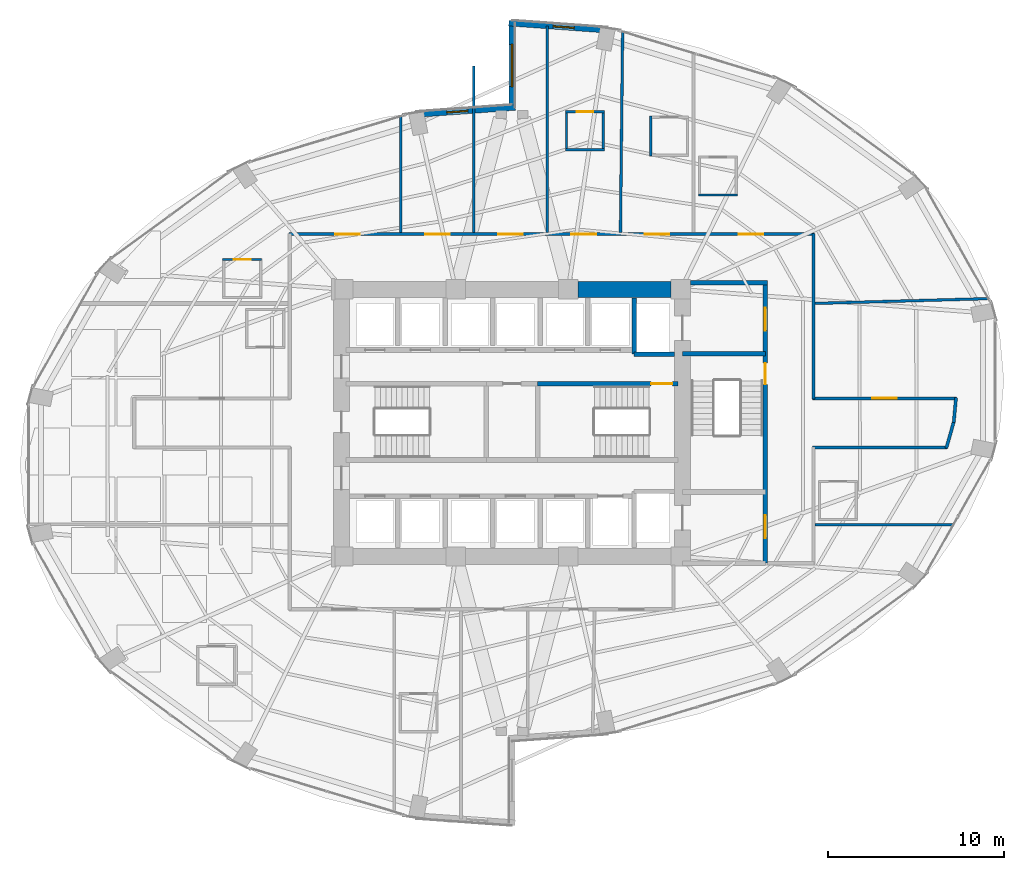
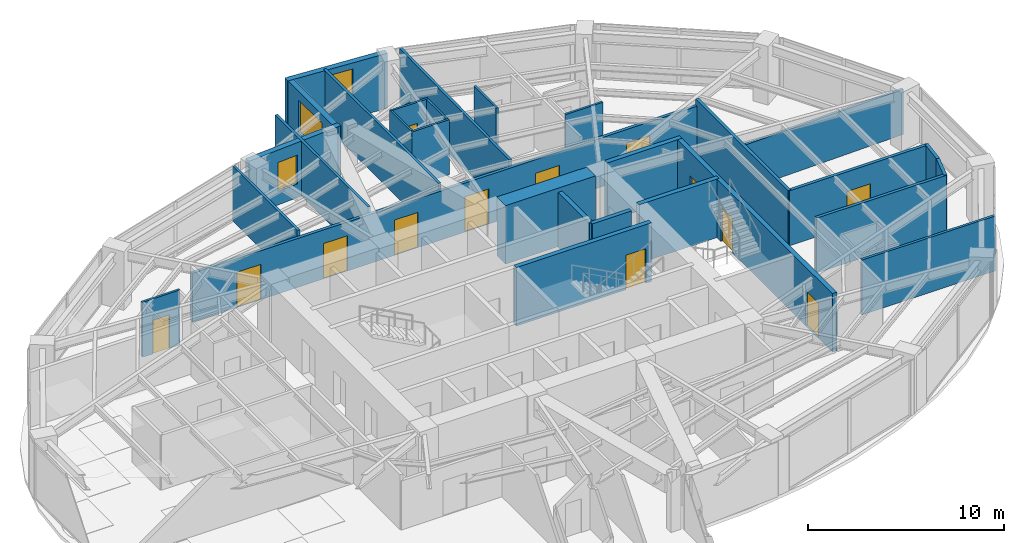
# One storey, part 22 of 25: 29 walls, 13 doors, 3 windows, 16 openings.
"""IFC4 building model written with IfcOpenShell, lengths in metres."""

from ifc_helpers import new_model, si_unit, direction, frame, frame_2d, origin, place, context, subcontext, project, spatial, rectangle, extrude, material, layer, layer_set, type_object, element, fill, save


model = new_model("IFC4")

# Units and contexts
model_context = context("Model", 3, precision=1e-05, world=origin(), true_north=direction((0.0, 1.0)))
body_context = subcontext(model_context, "Body", "Model", "MODEL_VIEW")
ifc_project = project(units=[si_unit("LENGTHUNIT", "METRE"), si_unit("AREAUNIT", "SQUARE_METRE"), si_unit("VOLUMEUNIT", "CUBIC_METRE"), si_unit("PLANEANGLEUNIT", "RADIAN"), si_unit("MASSUNIT", "GRAM", prefix="KILO")], contexts=[model_context])

# Site, building, storey
site_placement = place(None, origin())
site = spatial("IfcSite", under=ifc_project, at=site_placement, CompositionType="ELEMENT")
building_placement = place(site_placement, origin())
building = spatial("IfcBuilding", under=site, at=building_placement, Name="Lazwardi Medical Tower", CompositionType="ELEMENT")
storey_placement = place(building_placement, frame((0.0, 0.0, 28.847900390625)))
storey = spatial("IfcBuildingStorey", under=building, at=storey_placement, Name="L06", CompositionType="ELEMENT", Elevation=28.847900390625)

# Wall, openings, doors
ifc_material_1 = material(Name="Fire-rated gypsum board on steel stud", Category="steel")
ifc_layer_1 = layer(ifc_material_1, 0.179931640625)
ifc_layer_set_1 = layer_set([ifc_layer_1], Name="Fire-rated gypsum board on steel stud")
wall_type_1 = type_object("IfcWallType", Name="WL-COR-180", PredefinedType="PARTITIONING", material=ifc_layer_set_1)
wall_1_placement = place(storey_placement, frame((23.31005859375, 38.75, 0.0), z_axis=(0.0, 0.0, 1.0), x_axis=(1.0, 0.0, 0.0)))
wall_1 = element("IfcWall", 1, at=wall_1_placement, inside=storey, type_object=wall_type_1, Name="L06 Corridor partition 4", PredefinedType="PARTITIONING", context=body_context, shape_type="SweptSolid", body=[
    extrude(rectangle(XDim=29.8798828125, YDim=0.179931640625, at=frame_2d((14.93994140625, 0.0))), origin(), (0.0, 0.0, 1.0), 3.052978515625),
])
opening_1_placement = place(wall_1_placement, frame((25.591064453125, 0.0, 0.0)))
opening_1 = element("IfcOpeningElement", 2, at=opening_1_placement, cuts=wall_1, Name="Opening D-L06-020", PredefinedType="OPENING", context=body_context, shape_type="SweptSolid", body=[
    extrude(rectangle(XDim=1.39990234375, YDim=2.199951171875, at=frame_2d((0.699951171875, 1.10009765625))), frame((0.0, 0.099853515625, 0.0), z_axis=(0.0, -1.0, 0.0), x_axis=(1.0, 0.0, 0.0)), (0.0, 0.0, 1.0), 0.199951171875),
])
opening_2_placement = place(wall_1_placement, frame((20.240478515625, 0.0, 0.0)))
opening_2 = element("IfcOpeningElement", 3, at=opening_2_placement, cuts=wall_1, Name="Opening D-L06-021", PredefinedType="OPENING", context=body_context, shape_type="SweptSolid", body=[
    extrude(rectangle(XDim=1.39990234375, YDim=2.199951171875, at=frame_2d((0.699951171875, 1.10009765625))), frame((0.0, 0.099853515625, 0.0), z_axis=(0.0, -1.0, 0.0), x_axis=(1.0, 0.0, 0.0)), (0.0, 0.0, 1.0), 0.199951171875),
])
opening_3_placement = place(wall_1_placement, frame((16.075439453125, 0.0, 0.0)))
opening_3 = element("IfcOpeningElement", 4, at=opening_3_placement, cuts=wall_1, Name="Opening D-L06-022", PredefinedType="OPENING", context=body_context, shape_type="SweptSolid", body=[
    extrude(rectangle(XDim=1.39990234375, YDim=2.199951171875, at=frame_2d((0.699951171875, 1.10009765625))), frame((0.0, 0.099853515625, 0.0), z_axis=(0.0, -1.0, 0.0), x_axis=(1.0, 0.0, 0.0)), (0.0, 0.0, 1.0), 0.199951171875),
])
opening_4_placement = place(wall_1_placement, frame((11.905029296875, 0.0, 0.0)))
opening_4 = element("IfcOpeningElement", 5, at=opening_4_placement, cuts=wall_1, Name="Opening D-L06-023", PredefinedType="OPENING", context=body_context, shape_type="SweptSolid", body=[
    extrude(rectangle(XDim=1.39990234375, YDim=2.199951171875, at=frame_2d((0.699951171875, 1.10009765625))), frame((0.0, 0.099853515625, 0.0), z_axis=(0.0, -1.0, 0.0), x_axis=(1.0, 0.0, 0.0)), (0.0, 0.0, 1.0), 0.199951171875),
])
opening_5_placement = place(wall_1_placement, frame((7.739990234375, 0.0, 0.0)))
opening_5 = element("IfcOpeningElement", 6, at=opening_5_placement, cuts=wall_1, Name="Opening D-L06-024", PredefinedType="OPENING", context=body_context, shape_type="SweptSolid", body=[
    extrude(rectangle(XDim=1.39990234375, YDim=2.199951171875, at=frame_2d((0.699951171875, 1.10009765625))), frame((0.0, 0.099853515625, 0.0), z_axis=(0.0, -1.0, 0.0), x_axis=(1.0, 0.0, 0.0)), (0.0, 0.0, 1.0), 0.199951171875),
])
opening_6_placement = place(wall_1_placement, frame((2.638916015625, 0.0, 0.0)))
opening_6 = element("IfcOpeningElement", 7, at=opening_6_placement, cuts=wall_1, Name="Opening D-L06-025", PredefinedType="OPENING", context=body_context, shape_type="SweptSolid", body=[
    extrude(rectangle(XDim=1.39990234375, YDim=2.199951171875, at=frame_2d((0.699951171875, 1.10009765625))), frame((0.0, 0.099853515625, 0.0), z_axis=(0.0, -1.0, 0.0), x_axis=(1.0, 0.0, 0.0)), (0.0, 0.0, 1.0), 0.199951171875),
])
ifc_material_2 = material(Name="Anti-microbial laminate hospital leaf")
door_type_1 = type_object("IfcDoorType", Name="DR-BED-1400", OperationType="NOTDEFINED", PredefinedType="DOOR", material=ifc_material_2)
door_1_placement = place(opening_1_placement, origin())
door_1 = element("IfcDoor", 8, at=door_1_placement, inside=storey, type_object=door_type_1, Name="L06 Inpatient Ward Door 07", OperationType="SINGLE_SWING_RIGHT", OverallHeight=2.199951171875, OverallWidth=1.39990234375, PredefinedType="DOOR", context=body_context, shape_type="SweptSolid", body=[
    extrude(rectangle(XDim=1.39990234375, YDim=2.199951171875, at=frame_2d((0.699951171875, 1.10009765625))), frame((0.0, 0.02490234375, 0.0), z_axis=(0.0, -1.0, 0.0), x_axis=(1.0, 0.0, 0.0)), (0.0, 0.0, 1.0), 0.050048828125),
])
fill(opening_1, door_1)
door_2_placement = place(opening_2_placement, origin())
door_2 = element("IfcDoor", 9, at=door_2_placement, inside=storey, type_object=door_type_1, Name="L06 Inpatient Ward Door 08", OperationType="SINGLE_SWING_RIGHT", OverallHeight=2.199951171875, OverallWidth=1.39990234375, PredefinedType="DOOR", context=body_context, shape_type="SweptSolid", body=[
    extrude(rectangle(XDim=1.39990234375, YDim=2.199951171875, at=frame_2d((0.699951171875, 1.10009765625))), frame((0.0, 0.02490234375, 0.0), z_axis=(0.0, -1.0, 0.0), x_axis=(1.0, 0.0, 0.0)), (0.0, 0.0, 1.0), 0.050048828125),
])
fill(opening_2, door_2)
door_3_placement = place(opening_3_placement, origin())
door_3 = element("IfcDoor", 10, at=door_3_placement, inside=storey, type_object=door_type_1, Name="L06 Inpatient Ward Door 09", OperationType="SINGLE_SWING_RIGHT", OverallHeight=2.199951171875, OverallWidth=1.39990234375, PredefinedType="DOOR", context=body_context, shape_type="SweptSolid", body=[
    extrude(rectangle(XDim=1.39990234375, YDim=2.199951171875, at=frame_2d((0.699951171875, 1.10009765625))), frame((0.0, 0.02490234375, 0.0), z_axis=(0.0, -1.0, 0.0), x_axis=(1.0, 0.0, 0.0)), (0.0, 0.0, 1.0), 0.050048828125),
])
fill(opening_3, door_3)
door_4_placement = place(opening_4_placement, origin())
door_4 = element("IfcDoor", 11, at=door_4_placement, inside=storey, type_object=door_type_1, Name="L06 Inpatient Ward Door 10", OperationType="SINGLE_SWING_LEFT", OverallHeight=2.199951171875, OverallWidth=1.39990234375, PredefinedType="DOOR", context=body_context, shape_type="SweptSolid", body=[
    extrude(rectangle(XDim=1.39990234375, YDim=2.199951171875, at=frame_2d((0.699951171875, 1.10009765625))), frame((0.0, 0.02490234375, 0.0), z_axis=(0.0, -1.0, 0.0), x_axis=(1.0, 0.0, 0.0)), (0.0, 0.0, 1.0), 0.050048828125),
])
fill(opening_4, door_4)
door_5_placement = place(opening_5_placement, origin())
door_5 = element("IfcDoor", 12, at=door_5_placement, inside=storey, type_object=door_type_1, Name="L06 Inpatient Ward Door 11", OperationType="SINGLE_SWING_RIGHT", OverallHeight=2.199951171875, OverallWidth=1.39990234375, PredefinedType="DOOR", context=body_context, shape_type="SweptSolid", body=[
    extrude(rectangle(XDim=1.39990234375, YDim=2.199951171875, at=frame_2d((0.699951171875, 1.10009765625))), frame((0.0, 0.02490234375, 0.0), z_axis=(0.0, -1.0, 0.0), x_axis=(1.0, 0.0, 0.0)), (0.0, 0.0, 1.0), 0.050048828125),
])
fill(opening_5, door_5)
door_6_placement = place(opening_6_placement, origin())
door_6 = element("IfcDoor", 13, at=door_6_placement, inside=storey, type_object=door_type_1, Name="L06 Inpatient Ward Door 12", OperationType="SINGLE_SWING_RIGHT", OverallHeight=2.199951171875, OverallWidth=1.39990234375, PredefinedType="DOOR", context=body_context, shape_type="SweptSolid", body=[
    extrude(rectangle(XDim=1.39990234375, YDim=2.199951171875, at=frame_2d((0.699951171875, 1.10009765625))), frame((0.0, 0.02490234375, 0.0), z_axis=(0.0, -1.0, 0.0), x_axis=(1.0, 0.0, 0.0)), (0.0, 0.0, 1.0), 0.050048828125),
])
fill(opening_6, door_6)

# Wall
wall_2_placement = place(storey_placement, frame((53.14990234375, 38.7900390625, 0.0), z_axis=(0.0, 0.0, 1.0), x_axis=(0.0, -1.0, 0.0)))
element("IfcWall", 14, at=wall_2_placement, inside=storey, type_object=wall_type_1, Name="L06 Corridor partition 5", PredefinedType="PARTITIONING", context=body_context, shape_type="SweptSolid", body=[
    extrude(rectangle(XDim=9.429931640625, YDim=0.179931640625, at=frame_2d((4.71484375, 0.0))), origin(), (0.0, 0.0, 1.0), 3.427978515625),
])

# Wall, opening, door
wall_3_placement = place(storey_placement, frame((53.110107421875, 29.39990234375, 0.0), z_axis=(0.0, 0.0, 1.0), x_axis=(1.0, 0.0, 0.0)))
wall_3 = element("IfcWall", 15, at=wall_3_placement, inside=storey, type_object=wall_type_1, Name="L06 Corridor partition 6", PredefinedType="PARTITIONING", context=body_context, shape_type="SweptSolid", body=[
    extrude(rectangle(XDim=8.19677734375, YDim=0.179931640625, at=frame_2d((4.098388671875, 0.0))), origin(), (0.0, 0.0, 1.0), 3.427978515625),
])
opening_7_placement = place(wall_3_placement, frame((3.3984375, 0.0, 0.0)))
opening_7 = element("IfcOpeningElement", 16, at=opening_7_placement, cuts=wall_3, Name="Opening D-L06-019", PredefinedType="OPENING", context=body_context, shape_type="SweptSolid", body=[
    extrude(rectangle(XDim=1.39990234375, YDim=2.199951171875, at=frame_2d((0.699951171875, 1.10009765625))), frame((0.0, 0.099853515625, 0.0), z_axis=(0.0, -1.0, 0.0), x_axis=(1.0, 0.0, 0.0)), (0.0, 0.0, 1.0), 0.199951171875),
])
door_7_placement = place(opening_7_placement, origin())
door_7 = element("IfcDoor", 17, at=door_7_placement, inside=storey, type_object=door_type_1, Name="L06 Inpatient Ward Door 06", OperationType="SINGLE_SWING_RIGHT", OverallHeight=2.199951171875, OverallWidth=1.39990234375, PredefinedType="DOOR", context=body_context, shape_type="SweptSolid", body=[
    extrude(rectangle(XDim=1.39990234375, YDim=2.199951171875, at=frame_2d((0.699951171875, 1.10009765625))), frame((0.0, 0.02490234375, 0.0), z_axis=(0.0, -1.0, 0.0), x_axis=(1.0, 0.0, 0.0)), (0.0, 0.0, 1.0), 0.050048828125),
])
fill(opening_7, door_7)

# Walls
wall_4_placement = place(storey_placement, frame((61.2705078125, 29.439697265625, 0.0), z_axis=(0.0, 0.0, 1.0), x_axis=(-0.092539930621, -0.995708974169, 0.0)))
element("IfcWall", 18, at=wall_4_placement, inside=storey, type_object=wall_type_1, Name="L06 Corridor partition 7", PredefinedType="PARTITIONING", context=body_context, shape_type="SweptSolid", body=[
    extrude(rectangle(XDim=1.416748046875, YDim=0.179931640625, at=frame_2d((0.70849609375, 0.0))), origin(), (0.0, 0.0, 1.0), 3.427978515625),
])
wall_5_placement = place(storey_placement, frame((61.15380859375, 28.107421875, 0.0), z_axis=(0.0, 0.0, 1.0), x_axis=(-0.271748942561, -0.962368179138, 0.0)))
element("IfcWall", 19, at=wall_5_placement, inside=storey, type_object=wall_type_1, Name="L06 Corridor partition 8", PredefinedType="PARTITIONING", context=body_context, shape_type="SweptSolid", body=[
    extrude(rectangle(XDim=1.6064453125, YDim=0.179931640625, at=frame_2d((0.80322265625, 0.0))), origin(), (0.0, 0.0, 1.0), 3.427978515625),
])
wall_6_placement = place(storey_placement, frame((60.768310546875, 26.60009765625, 0.0), z_axis=(0.0, 0.0, 1.0), x_axis=(-1.0, 0.0, 0.0)))
element("IfcWall", 20, at=wall_6_placement, inside=storey, type_object=wall_type_1, Name="L06 Corridor partition 9", PredefinedType="PARTITIONING", context=body_context, shape_type="SweptSolid", body=[
    extrude(rectangle(XDim=7.658203125, YDim=0.179931640625, at=frame_2d((3.8291015625, 0.0))), origin(), (0.0, 0.0, 1.0), 3.427978515625),
])
ifc_material_3 = material(Name="Concrete C80/95", Category="concrete")
ifc_layer_2 = layer(ifc_material_3, 0.89990234375)
ifc_layer_set_2 = layer_set([ifc_layer_2], Name="Concrete C80/95")
wall_type_2 = type_object("IfcWallType", Name="WL-CORE-900", PredefinedType="SHEAR", material=ifc_layer_set_2)
wall_7_placement = place(storey_placement, frame((39.75, 35.60009765625, 0.0), z_axis=(0.0, 0.0, 1.0), x_axis=(1.0, 0.0, 0.0)))
element("IfcWall", 21, at=wall_7_placement, inside=storey, type_object=wall_type_2, Name="Core wall CW-S1 N3 L06", PredefinedType="SHEAR", context=body_context, shape_type="SweptSolid", body=[
    extrude(rectangle(XDim=5.300048828125, YDim=0.89990234375, at=frame_2d((2.64990234375, 0.0))), origin(), (0.0, 0.0, 1.0), 3.648193359375),
])
ifc_material_4 = material(Name="Moisture-resistant gypsum board partition")
ifc_layer_3 = layer(ifc_material_4, 0.125)
ifc_layer_set_3 = layer_set([ifc_layer_3], Name="Moisture-resistant gypsum board partition")
wall_type_3 = type_object("IfcWallType", Name="WL-ENS-125", PredefinedType="PARTITIONING", material=ifc_layer_set_3)
wall_8_placement = place(storey_placement, frame((46.60498046875, 40.967041015625, 0.0), z_axis=(0.0, 0.0, 1.0), x_axis=(1.0, 0.0, 0.0)))
element("IfcWall", 22, at=wall_8_placement, inside=storey, type_object=wall_type_3, Name="L06 En-suite wall 7S", PredefinedType="PARTITIONING", context=body_context, shape_type="SweptSolid", body=[
    extrude(rectangle(XDim=2.219970703125, YDim=0.125, at=frame_2d((1.10986328125, 0.0))), origin(), (0.0, 0.0, 1.0), 3.427978515625),
])
wall_9_placement = place(storey_placement, frame((43.89501953125, 43.17919921875, 0.0), z_axis=(0.0, 0.0, 1.0), x_axis=(0.0, 1.0, 0.0)))
element("IfcWall", 23, at=wall_9_placement, inside=storey, type_object=wall_type_3, Name="L06 En-suite wall 8W", PredefinedType="PARTITIONING", context=body_context, shape_type="SweptSolid", body=[
    extrude(rectangle(XDim=2.280029296875, YDim=0.125, at=frame_2d((1.14013671875, 0.0))), origin(), (0.0, 0.0, 1.0), 3.427978515625),
])

# Wall, opening, door
wall_10_placement = place(storey_placement, frame((39.035888671875, 45.7109375, 0.0), z_axis=(0.0, 0.0, 1.0), x_axis=(1.0, 0.0, 0.0)))
wall_10 = element("IfcWall", 24, at=wall_10_placement, inside=storey, type_object=wall_type_3, Name="L06 En-suite wall 9N", PredefinedType="PARTITIONING", context=body_context, shape_type="SweptSolid", body=[
    extrude(rectangle(XDim=2.219970703125, YDim=0.125, at=frame_2d((1.10986328125, 0.0))), origin(), (0.0, 0.0, 1.0), 3.427978515625),
])
opening_8_placement = place(wall_10_placement, frame((0.635009765625, 0.0, 0.0)))
opening_8 = element("IfcOpeningElement", 25, at=opening_8_placement, cuts=wall_10, Name="Opening D-L06-007", PredefinedType="OPENING", context=body_context, shape_type="SweptSolid", body=[
    extrude(rectangle(XDim=0.949951171875, YDim=2.10009765625, at=frame_2d((0.47509765625, 1.050048828125))), frame((0.0, 0.072509765625, 0.0), z_axis=(0.0, -1.0, 0.0), x_axis=(1.0, 0.0, 0.0)), (0.0, 0.0, 1.0), 0.14501953125),
])
ifc_material_5 = material(Name="Moisture-resistant laminate door leaf")
door_type_2 = type_object("IfcDoorType", Name="DR-ENS-950", OperationType="NOTDEFINED", PredefinedType="DOOR", material=ifc_material_5)
door_8_placement = place(opening_8_placement, origin())
door_8 = element("IfcDoor", 26, at=door_8_placement, inside=storey, type_object=door_type_2, Name="L06 En-suite Door 09", OperationType="SINGLE_SWING_LEFT", OverallHeight=2.10009765625, OverallWidth=0.949951171875, PredefinedType="DOOR", context=body_context, shape_type="SweptSolid", body=[
    extrude(rectangle(XDim=0.949951171875, YDim=2.10009765625, at=frame_2d((0.47509765625, 1.050048828125))), frame((0.0, 0.02490234375, 0.0), z_axis=(0.0, -1.0, 0.0), x_axis=(1.0, 0.0, 0.0)), (0.0, 0.0, 1.0), 0.050048828125),
])
fill(opening_8, door_8)

# Walls
wall_11_placement = place(storey_placement, frame((39.035888671875, 43.551025390625, 0.0), z_axis=(0.0, 0.0, 1.0), x_axis=(1.0, 0.0, 0.0)))
element("IfcWall", 27, at=wall_11_placement, inside=storey, type_object=wall_type_3, Name="L06 En-suite wall 9S", PredefinedType="PARTITIONING", context=body_context, shape_type="SweptSolid", body=[
    extrude(rectangle(XDim=2.219970703125, YDim=0.125, at=frame_2d((1.10986328125, 0.0))), origin(), (0.0, 0.0, 1.0), 3.427978515625),
])
for number, where, z_axis, x_axis, name in (
    (28, (41.19580078125, 43.490966796875, 0.0), (0.0, 0.0, 1.0), (0.0, 1.0, 0.0), "L06 En-suite wall 9E"),
    (29, (39.095703125, 43.490966796875, 0.0), (0.0, 0.0, 1.0), (0.0, 1.0, 0.0), "L06 En-suite wall 9W"),
):
    element("IfcWall", number, at=place(storey_placement, frame(where, z_axis=z_axis, x_axis=x_axis)), inside=storey, type_object=wall_type_3, Name=name, PredefinedType="PARTITIONING", context=body_context, shape_type="SweptSolid", body=[
        extrude(rectangle(XDim=2.280029296875, YDim=0.125, at=frame_2d((1.14013671875, 0.0))), origin(), (0.0, 0.0, 1.0), 3.427978515625),
    ])

# Wall, opening, door
wall_12_placement = place(storey_placement, frame((19.53759765625, 37.300048828125, 0.0), z_axis=(0.0, 0.0, 1.0), x_axis=(1.0, 0.0, 0.0)))
wall_12 = element("IfcWall", 30, at=wall_12_placement, inside=storey, type_object=wall_type_3, Name="L06 En-suite wall 12N", PredefinedType="PARTITIONING", context=body_context, shape_type="SweptSolid", body=[
    extrude(rectangle(XDim=2.219970703125, YDim=0.125, at=frame_2d((1.10986328125, 0.0))), origin(), (0.0, 0.0, 1.0), 3.427978515625),
])
opening_9_placement = place(wall_12_placement, frame((0.635009765625, 0.0, 0.0)))
opening_9 = element("IfcOpeningElement", 31, at=opening_9_placement, cuts=wall_12, Name="Opening D-L06-008", PredefinedType="OPENING", context=body_context, shape_type="SweptSolid", body=[
    extrude(rectangle(XDim=0.949951171875, YDim=2.10009765625, at=frame_2d((0.47509765625, 1.050048828125))), frame((0.0, 0.072509765625, 0.0), z_axis=(0.0, -1.0, 0.0), x_axis=(1.0, 0.0, 0.0)), (0.0, 0.0, 1.0), 0.14501953125),
])
door_9_placement = place(opening_9_placement, origin())
door_9 = element("IfcDoor", 32, at=door_9_placement, inside=storey, type_object=door_type_2, Name="L06 En-suite Door 12", OperationType="SINGLE_SWING_LEFT", OverallHeight=2.10009765625, OverallWidth=0.949951171875, PredefinedType="DOOR", context=body_context, shape_type="SweptSolid", body=[
    extrude(rectangle(XDim=0.949951171875, YDim=2.10009765625, at=frame_2d((0.47509765625, 1.050048828125))), frame((0.0, 0.02490234375, 0.0), z_axis=(0.0, -1.0, 0.0), x_axis=(1.0, 0.0, 0.0)), (0.0, 0.0, 1.0), 0.050048828125),
])
fill(opening_9, door_9)

# Wall, opening, window
ifc_material_6 = material(Name="Precast concrete C45/55", Category="concrete")
ifc_layer_4 = layer(ifc_material_6, 0.320068359375)
ifc_layer_set_4 = layer_set([ifc_layer_4], Name="Precast concrete C45/55")
wall_type_4 = type_object("IfcWallType", Name="WL-IWAN-320", PredefinedType="SOLIDWALL", material=ifc_layer_set_4)
wall_13_placement = place(storey_placement, frame((41.481201171875, 50.345703125, 0.0), z_axis=(0.0, 0.0, 1.0), x_axis=(-0.997422321809, 0.071754525696, 0.0)))
wall_13 = element("IfcWall", 33, at=wall_13_placement, inside=storey, type_object=wall_type_4, Name="L06 Iwan Portal Return Wall NE_ret", PredefinedType="SOLIDWALL", context=body_context, shape_type="SweptSolid", body=[
    extrude(rectangle(XDim=5.67529296875, YDim=0.320068359375, at=frame_2d((2.837646484375, 0.0))), origin(), (0.0, 0.0, 1.0), 3.427978515625),
])
opening_10_placement = place(wall_13_placement, frame((1.94921875, 0.0, 0.85009765625)))
opening_10 = element("IfcOpeningElement", 34, at=opening_10_placement, cuts=wall_13, Name="Opening WN-01", PredefinedType="OPENING", context=body_context, shape_type="SweptSolid", body=[
    extrude(rectangle(XDim=1.199951171875, YDim=2.199951171875, at=frame_2d((0.60009765625, 1.10009765625))), frame((0.0, 0.169921875, 0.0), z_axis=(0.0, -1.0, 0.0), x_axis=(1.0, 0.0, 0.0)), (0.0, 0.0, 1.0), 0.340087890625),
])
ifc_material_7 = material(Name="Low-e bronze solar control double glazing", Category="glass")
window_type_1 = type_object("IfcWindowType", Name="WIN-IW-1200", PartitioningType="SINGLE_PANEL", PredefinedType="WINDOW", material=ifc_material_7)
window_1_placement = place(opening_10_placement, origin())
window_1 = element("IfcWindow", 35, at=window_1_placement, inside=storey, type_object=window_type_1, Name="L06 Iwan Slot Window NE_ret", OverallHeight=2.199951171875, OverallWidth=1.199951171875, PartitioningType="SINGLE_PANEL", PredefinedType="WINDOW", context=body_context, shape_type="SweptSolid", body=[
    extrude(rectangle(XDim=1.199951171875, YDim=2.199951171875, at=frame_2d((0.60009765625, 1.10009765625))), frame((0.0, 0.030029296875, 0.0), z_axis=(0.0, -1.0, 0.0), x_axis=(1.0, 0.0, 0.0)), (0.0, 0.0, 1.0), 0.06005859375),
])
fill(opening_10, window_1)

wall_14_placement = place(storey_placement, frame((36.178955078125, 45.952880859375, 0.0), z_axis=(0.0, 0.0, 1.0), x_axis=(-0.997421878774, -0.071760683825, 0.0)))
wall_14 = element("IfcWall", 36, at=wall_14_placement, inside=storey, type_object=wall_type_4, Name="L06 Iwan Portal Return Wall NW_ret", PredefinedType="SOLIDWALL", context=body_context, shape_type="SweptSolid", body=[
    extrude(rectangle(XDim=5.6748046875, YDim=0.320068359375, at=frame_2d((2.83740234375, 0.0))), origin(), (0.0, 0.0, 1.0), 3.427978515625),
])
opening_11_placement = place(wall_14_placement, frame((2.6962890625, 0.0, 0.85009765625)))
opening_11 = element("IfcOpeningElement", 37, at=opening_11_placement, cuts=wall_14, Name="Opening WN-04", PredefinedType="OPENING", context=body_context, shape_type="SweptSolid", body=[
    extrude(rectangle(XDim=1.199951171875, YDim=1.800048828125, at=frame_2d((0.60009765625, 0.89990234375))), frame((0.0, 0.169921875, 0.0), z_axis=(0.0, -1.0, 0.0), x_axis=(1.0, 0.0, 0.0)), (0.0, 0.0, 1.0), 0.340087890625),
])
window_type_2 = type_object("IfcWindowType", Name="WIN-DRUM-1200", PartitioningType="SINGLE_PANEL", PredefinedType="WINDOW", material=ifc_material_7)
window_2_placement = place(opening_11_placement, origin())
window_2 = element("IfcWindow", 38, at=window_2_placement, inside=storey, type_object=window_type_2, Name="L06 Iwan Slot Window NW_ret", OverallHeight=1.800048828125, OverallWidth=1.199951171875, PartitioningType="SINGLE_PANEL", PredefinedType="WINDOW", context=body_context, shape_type="SweptSolid", body=[
    extrude(rectangle(XDim=1.199951171875, YDim=1.800048828125, at=frame_2d((0.60009765625, 0.89990234375))), frame((0.0, 0.030029296875, 0.0), z_axis=(0.0, -1.0, 0.0), x_axis=(1.0, 0.0, 0.0)), (0.0, 0.0, 1.0), 0.06005859375),
])
fill(opening_11, window_2)

wall_15_placement = place(storey_placement, frame((36.0, 50.89990234375, 0.0), z_axis=(0.0, 0.0, 1.0), x_axis=(0.0, -1.0, 0.0)))
wall_15 = element("IfcWall", 39, at=wall_15_placement, inside=storey, type_object=wall_type_4, Name="L06 Turquoise Tilework Iwan Seam Wall N_seam", PredefinedType="SOLIDWALL", context=body_context, shape_type="SweptSolid", body=[
    extrude(rectangle(XDim=5.119873046875, YDim=0.320068359375, at=frame_2d((2.56005859375, 0.0))), origin(), (0.0, 0.0, 1.0), 3.427978515625),
])
opening_12_placement = place(wall_15_placement, frame((1.360107421875, 0.0, 0.840087890625)))
opening_12 = element("IfcOpeningElement", 40, at=opening_12_placement, cuts=wall_15, Name="Opening WN-02", PredefinedType="OPENING", context=body_context, shape_type="SweptSolid", body=[
    extrude(rectangle(XDim=2.39990234375, YDim=2.0400390625, at=frame_2d((1.199951171875, 1.02001953125))), frame((0.0, 0.169921875, 0.0), z_axis=(0.0, -1.0, 0.0), x_axis=(1.0, 0.0, 0.0)), (0.0, 0.0, 1.0), 0.340087890625),
])
window_type_3 = type_object("IfcWindowType", Name="WIN-IW-2400", PartitioningType="SINGLE_PANEL", PredefinedType="WINDOW", material=ifc_material_7)
window_3_placement = place(opening_12_placement, origin())
window_3 = element("IfcWindow", 41, at=window_3_placement, inside=storey, type_object=window_type_3, Name="L06 Iwan Seam Window N_seam", OverallHeight=2.0400390625, OverallWidth=2.39990234375, PartitioningType="SINGLE_PANEL", PredefinedType="WINDOW", context=body_context, shape_type="SweptSolid", body=[
    extrude(rectangle(XDim=2.39990234375, YDim=2.0400390625, at=frame_2d((1.199951171875, 1.02001953125))), frame((0.0, 0.030029296875, 0.0), z_axis=(0.0, -1.0, 0.0), x_axis=(1.0, 0.0, 0.0)), (0.0, 0.0, 1.0), 0.06005859375),
])
fill(opening_12, window_3)

# Walls
ifc_material_8 = material(Name="Autoclaved aerated concrete blockwork", Category="masonry")
ifc_layer_5 = layer(ifc_material_8, 0.25)
ifc_layer_set_5 = layer_set([ifc_layer_5], Name="Autoclaved aerated concrete blockwork")
wall_type_5 = type_object("IfcWallType", Name="WL-SHAFT-250", PredefinedType="SOLIDWALL", material=ifc_layer_set_5)
wall_16_placement = place(storey_placement, frame((42.949951171875, 31.919921875, 0.0), z_axis=(0.0, 0.0, 1.0), x_axis=(0.0, 1.0, 0.0)))
element("IfcWall", 42, at=wall_16_placement, inside=storey, type_object=wall_type_5, Name="L06 FL-01 West shaft wall", PredefinedType="SOLIDWALL", context=body_context, shape_type="SweptSolid", body=[
    extrude(rectangle(XDim=3.18017578125, YDim=0.25, at=frame_2d((1.590087890625, 0.0))), origin(), (0.0, 0.0, 1.0), 3.427978515625),
])
wall_17_placement = place(storey_placement, frame((42.949951171875, 31.919921875, 0.0), z_axis=(0.0, 0.0, 1.0), x_axis=(1.0, 0.0, 0.0)))
element("IfcWall", 43, at=wall_17_placement, inside=storey, type_object=wall_type_5, Name="L06 FL-01 South shaft wall", PredefinedType="SOLIDWALL", context=body_context, shape_type="SweptSolid", body=[
    extrude(rectangle(XDim=2.300048828125, YDim=0.25, at=frame_2d((1.14990234375, 0.0))), origin(), (0.0, 0.0, 1.0), 3.427978515625),
])

# Wall, opening, door
ifc_material_9 = material(Name="Concrete C50/60", Category="concrete")
ifc_layer_6 = layer(ifc_material_9, 0.27001953125)
ifc_layer_set_6 = layer_set([ifc_layer_6], Name="Concrete C50/60")
wall_type_6 = type_object("IfcWallType", Name="WL-STR-250", PredefinedType="SHEAR", material=ifc_layer_set_6)
wall_18_placement = place(storey_placement, frame((37.465087890625, 30.235107421875, 0.0), z_axis=(0.0, 0.0, 1.0), x_axis=(1.0, 0.0, 0.0)))
wall_18 = element("IfcWall", 44, at=wall_18_placement, inside=storey, type_object=wall_type_6, Name="L06 ST2 North shear shaft wall SW-S1", PredefinedType="SHEAR", context=body_context, shape_type="SweptSolid", body=[
    extrude(rectangle(XDim=7.98486328125, YDim=0.27001953125, at=frame_2d((3.992431640625, 0.0))), origin(), (0.0, 0.0, 1.0), 3.648193359375),
])
opening_13_placement = place(wall_18_placement, frame((6.455078125, 0.0, 0.0)))
opening_13 = element("IfcOpeningElement", 45, at=opening_13_placement, cuts=wall_18, Name="Opening D-L06-028", PredefinedType="OPENING", context=body_context, shape_type="SweptSolid", body=[
    extrude(rectangle(XDim=1.199951171875, YDim=2.14990234375, at=frame_2d((0.60009765625, 1.074951171875))), frame((0.0, 0.14501953125, 0.0), z_axis=(0.0, -1.0, 0.0), x_axis=(1.0, 0.0, 0.0)), (0.0, 0.0, 1.0), 0.2900390625),
])
ifc_material_10 = material(Name="Fire-rated steel leaf and frame", Category="steel")
door_type_3 = type_object("IfcDoorType", Name="DR-STR-1200", OperationType="NOTDEFINED", PredefinedType="DOOR", material=ifc_material_10)
door_10_placement = place(opening_13_placement, origin())
door_10 = element("IfcDoor", 46, at=door_10_placement, inside=storey, type_object=door_type_3, Name="L06 Exit Stair ST2 Door", OperationType="SINGLE_SWING_LEFT", OverallHeight=2.14990234375, OverallWidth=1.199951171875, PredefinedType="DOOR", context=body_context, shape_type="SweptSolid", body=[
    extrude(rectangle(XDim=1.199951171875, YDim=2.14990234375, at=frame_2d((0.60009765625, 1.074951171875))), frame((0.0, 0.02490234375, 0.0), z_axis=(0.0, -1.0, 0.0), x_axis=(1.0, 0.0, 0.0)), (0.0, 0.0, 1.0), 0.050048828125),
])
fill(opening_13, door_10)

# Wall, openings, doors
wall_19_placement = place(storey_placement, frame((50.4150390625, 35.844970703125, 0.0), z_axis=(0.0, 0.0, 1.0), x_axis=(0.0, -1.0, 0.0)))
wall_19 = element("IfcWall", 47, at=wall_19_placement, inside=storey, type_object=wall_type_6, Name="L06 East ST3 & FFL shear wall SW-S1", PredefinedType="SHEAR", context=body_context, shape_type="SweptSolid", body=[
    extrude(rectangle(XDim=15.824951171875, YDim=0.27001953125, at=frame_2d((7.91259765625, 0.0))), origin(), (0.0, 0.0, 1.0), 3.648193359375),
])
opening_14_placement = place(wall_19_placement, frame((4.445068359375, 0.0, 0.0)))
opening_14 = element("IfcOpeningElement", 48, at=opening_14_placement, cuts=wall_19, Name="Opening D-L06-029", PredefinedType="OPENING", context=body_context, shape_type="SweptSolid", body=[
    extrude(rectangle(XDim=1.199951171875, YDim=2.14990234375, at=frame_2d((0.60009765625, 1.074951171875))), frame((0.0, 0.14501953125, 0.0), z_axis=(0.0, -1.0, 0.0), x_axis=(1.0, 0.0, 0.0)), (0.0, 0.0, 1.0), 0.2900390625),
])
opening_15_placement = place(wall_19_placement, frame((1.294921875, 0.0, 0.0)))
opening_15 = element("IfcOpeningElement", 49, at=opening_15_placement, cuts=wall_19, Name="Opening D-L06-010", PredefinedType="OPENING", context=body_context, shape_type="SweptSolid", body=[
    extrude(rectangle(XDim=1.300048828125, YDim=2.199951171875, at=frame_2d((0.64990234375, 1.10009765625))), frame((0.0, 0.14501953125, 0.0), z_axis=(0.0, -1.0, 0.0), x_axis=(1.0, 0.0, 0.0)), (0.0, 0.0, 1.0), 0.2900390625),
])
opening_16_placement = place(wall_19_placement, frame((13.094970703125, 0.0, 0.0)))
opening_16 = element("IfcOpeningElement", 50, at=opening_16_placement, cuts=wall_19, Name="Opening D-L06-011", PredefinedType="OPENING", context=body_context, shape_type="SweptSolid", body=[
    extrude(rectangle(XDim=1.300048828125, YDim=2.199951171875, at=frame_2d((0.64990234375, 1.10009765625))), frame((0.0, 0.14501953125, 0.0), z_axis=(0.0, -1.0, 0.0), x_axis=(1.0, 0.0, 0.0)), (0.0, 0.0, 1.0), 0.2900390625),
])
door_type_4 = type_object("IfcDoorType", Name="DR-FFL-1300", OperationType="NOTDEFINED", PredefinedType="DOOR", material=ifc_material_10)
door_11_placement = place(opening_15_placement, origin())
door_11 = element("IfcDoor", 51, at=door_11_placement, inside=storey, type_object=door_type_4, Name="L06 Fire-Fighting Lobby North Door", OperationType="SINGLE_SWING_RIGHT", OverallHeight=2.199951171875, OverallWidth=1.300048828125, PredefinedType="DOOR", context=body_context, shape_type="SweptSolid", body=[
    extrude(rectangle(XDim=1.300048828125, YDim=2.199951171875, at=frame_2d((0.64990234375, 1.10009765625))), frame((0.0, 0.02490234375, 0.0), z_axis=(0.0, -1.0, 0.0), x_axis=(1.0, 0.0, 0.0)), (0.0, 0.0, 1.0), 0.050048828125),
])
fill(opening_15, door_11)
door_12_placement = place(opening_16_placement, origin())
door_12 = element("IfcDoor", 52, at=door_12_placement, inside=storey, type_object=door_type_4, Name="L06 Fire-Fighting Lobby South Door", OperationType="SINGLE_SWING_LEFT", OverallHeight=2.199951171875, OverallWidth=1.300048828125, PredefinedType="DOOR", context=body_context, shape_type="SweptSolid", body=[
    extrude(rectangle(XDim=1.300048828125, YDim=2.199951171875, at=frame_2d((0.64990234375, 1.10009765625))), frame((0.0, 0.02490234375, 0.0), z_axis=(0.0, -1.0, 0.0), x_axis=(1.0, 0.0, 0.0)), (0.0, 0.0, 1.0), 0.050048828125),
])
fill(opening_16, door_12)
door_13_placement = place(opening_14_placement, origin())
door_13 = element("IfcDoor", 53, at=door_13_placement, inside=storey, type_object=door_type_3, Name="L06 Exit Stair ST3 Door", OperationType="SINGLE_SWING_LEFT", OverallHeight=2.14990234375, OverallWidth=1.199951171875, PredefinedType="DOOR", context=body_context, shape_type="SweptSolid", body=[
    extrude(rectangle(XDim=1.199951171875, YDim=2.14990234375, at=frame_2d((0.60009765625, 1.074951171875))), frame((0.0, 0.02490234375, 0.0), z_axis=(0.0, -1.0, 0.0), x_axis=(1.0, 0.0, 0.0)), (0.0, 0.0, 1.0), 0.050048828125),
])
fill(opening_14, door_13)

# Walls
wall_20_placement = place(storey_placement, frame((46.14990234375, 35.97998046875, 0.0), z_axis=(0.0, 0.0, 1.0), x_axis=(1.0, 0.0, 0.0)))
element("IfcWall", 54, at=wall_20_placement, inside=storey, type_object=wall_type_6, Name="L06 FFL-N North shear wall SW-S1", PredefinedType="SHEAR", context=body_context, shape_type="SweptSolid", body=[
    extrude(rectangle(XDim=4.400146484375, YDim=0.27001953125, at=frame_2d((2.2001953125, 0.0))), origin(), (0.0, 0.0, 1.0), 3.648193359375),
])
wall_21_placement = place(storey_placement, frame((45.699951171875, 31.93505859375, 0.0), z_axis=(0.0, 0.0, 1.0), x_axis=(1.0, 0.0, 0.0)))
element("IfcWall", 55, at=wall_21_placement, inside=storey, type_object=wall_type_6, Name="L06 ST3 North shear shaft wall SW-S1", PredefinedType="SHEAR", context=body_context, shape_type="SweptSolid", body=[
    extrude(rectangle(XDim=4.715087890625, YDim=0.27001953125, at=frame_2d((2.357421875, 0.0))), origin(), (0.0, 0.0, 1.0), 3.648193359375),
])
ifc_material_11 = material(Name="Acoustic gypsum board partition")
ifc_layer_7 = layer(ifc_material_11, 0.14990234375)
ifc_layer_set_7 = layer_set([ifc_layer_7], Name="Acoustic gypsum board partition")
wall_type_7 = type_object("IfcWallType", Name="WL-WRD-150", PredefinedType="PARTITIONING", material=ifc_layer_set_7)
wall_22_placement = place(storey_placement, frame((53.239990234375, 22.199951171875, 0.0), z_axis=(0.0, 0.0, 1.0), x_axis=(1.0, 0.0, 0.0)))
element("IfcWall", 56, at=wall_22_placement, inside=storey, type_object=wall_type_7, Name="L06 Room partition 3", PredefinedType="PARTITIONING", context=body_context, shape_type="SweptSolid", body=[
    extrude(rectangle(XDim=7.87548828125, YDim=0.14990234375, at=frame_2d((3.937744140625, 0.0))), origin(), (0.0, 0.0, 1.0), 3.427978515625),
])
wall_23_placement = place(storey_placement, frame((53.239990234375, 34.802001953125, 0.0), z_axis=(0.0, 0.0, 1.0), x_axis=(0.999620561748, 0.027545099924, 0.0)))
element("IfcWall", 57, at=wall_23_placement, inside=storey, type_object=wall_type_7, Name="L06 Room partition 4", PredefinedType="PARTITIONING", context=body_context, shape_type="SweptSolid", body=[
    extrude(rectangle(XDim=9.891357421875, YDim=0.14990234375, at=frame_2d((4.94580078125, 0.0))), origin(), (0.0, 0.0, 1.0), 2.81298828125),
])
wall_24_placement = place(storey_placement, frame((29.669921875, 38.840087890625, 0.0), z_axis=(0.0, 0.0, 1.0), x_axis=(0.0, 1.0, 0.0)))
element("IfcWall", 58, at=wall_24_placement, inside=storey, type_object=wall_type_7, Name="L06 Room partition 5", PredefinedType="PARTITIONING", context=body_context, shape_type="SweptSolid", body=[
    extrude(rectangle(XDim=6.59619140625, YDim=0.14990234375, at=frame_2d((3.298095703125, 0.0))), origin(), (0.0, 0.0, 1.0), 3.427978515625),
])
wall_25_placement = place(storey_placement, frame((33.830078125, 38.840087890625, 0.0), z_axis=(0.0, 0.0, 1.0), x_axis=(0.0, 1.0, 0.0)))
element("IfcWall", 59, at=wall_25_placement, inside=storey, type_object=wall_type_7, Name="L06 Room partition 6", PredefinedType="PARTITIONING", context=body_context, shape_type="SweptSolid", body=[
    extrude(rectangle(XDim=9.46630859375, YDim=0.14990234375, at=frame_2d((4.733154296875, 0.0))), origin(), (0.0, 0.0, 1.0), 3.427978515625),
])
wall_26_placement = place(storey_placement, frame((38.0, 38.840087890625, 0.0), z_axis=(0.0, 0.0, 1.0), x_axis=(0.0, 1.0, 0.0)))
element("IfcWall", 60, at=wall_26_placement, inside=storey, type_object=wall_type_7, Name="L06 Room partition 7", PredefinedType="PARTITIONING", context=body_context, shape_type="SweptSolid", body=[
    extrude(rectangle(XDim=11.743408203125, YDim=0.14990234375, at=frame_2d((5.87158203125, 0.0))), origin(), (0.0, 0.0, 1.0), 3.427978515625),
])
wall_27_placement = place(storey_placement, frame((42.1708984375, 38.840087890625, 0.0), z_axis=(0.0, 0.0, 1.0), x_axis=(0.010986468696, 0.999939646932, 0.0)))
element("IfcWall", 61, at=wall_27_placement, inside=storey, type_object=wall_type_7, Name="L06 Room partition 8", PredefinedType="PARTITIONING", context=body_context, shape_type="SweptSolid", body=[
    extrude(rectangle(XDim=11.422119140625, YDim=0.14990234375, at=frame_2d((5.7109375, 0.0))), origin(), (0.0, 0.0, 1.0), 3.427978515625),
])

save(model, "model.ifc")
